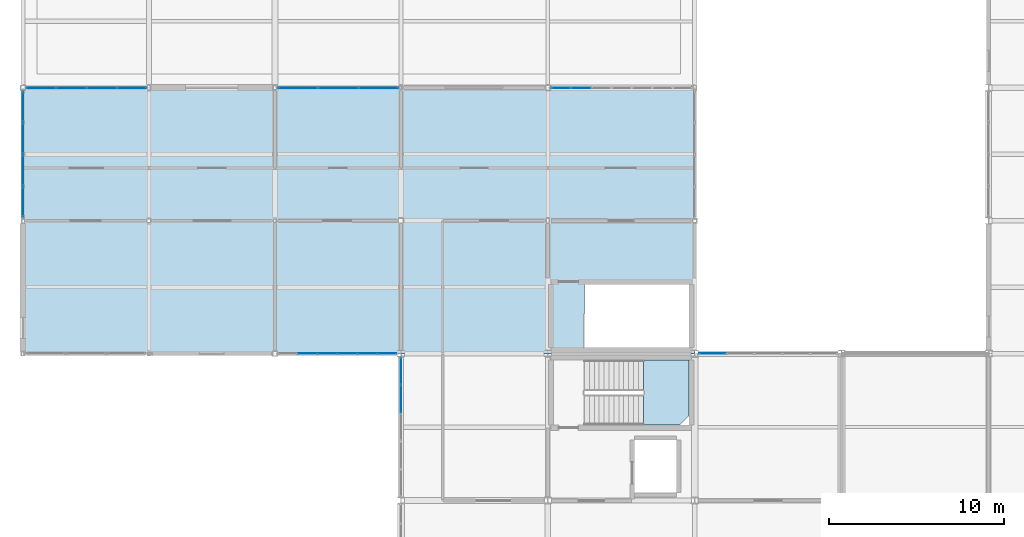
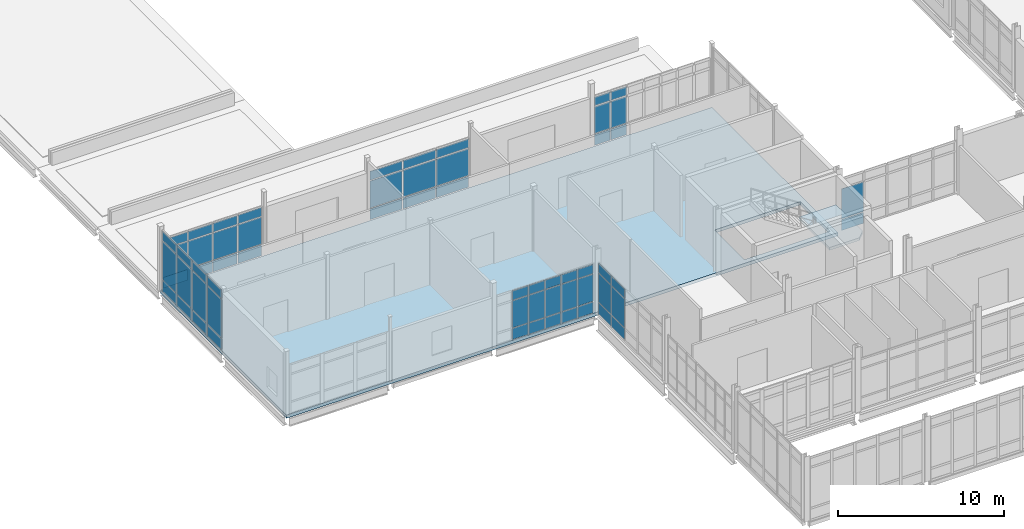
# One storey, part 121 of 186: 62 plates, 2 slabs, 8 elements without a shape of their own.
"""IFC4 building model written with IfcOpenShell, lengths in metres."""

from ifc_helpers import new_model, si_unit, direction, frame, origin, origin_2d, place, context, subcontext, project, spatial, polyline, rectangle, outline, extrude, material, layer, layer_set, type_object, element, aggregate, save


model = new_model("IFC4")

# Units and contexts
model_context = context("Model", 3, precision=1e-05, world=origin(), true_north=direction((0.0, 1.0)))
body_context = subcontext(model_context, "Body", "Model", "MODEL_VIEW")
ifc_project = project(units=[si_unit("LENGTHUNIT", "METRE"), si_unit("AREAUNIT", "SQUARE_METRE"), si_unit("VOLUMEUNIT", "CUBIC_METRE"), si_unit("PLANEANGLEUNIT", "RADIAN"), si_unit("MASSUNIT", "GRAM", prefix="KILO")], contexts=[model_context])

# Site, building, storey
site_placement = place(None, origin())
site = spatial("IfcSite", under=ifc_project, at=site_placement, CompositionType="ELEMENT")
building_placement = place(site_placement, origin())
building = spatial("IfcBuilding", under=site, at=building_placement, Name="Calvrana Isthmian Art Gallery", CompositionType="ELEMENT")
storey_placement = place(building_placement, frame((0.0, 0.0, 5.39990234375)))
storey = spatial("IfcBuildingStorey", under=building, at=storey_placement, Name="L01", CompositionType="ELEMENT", Elevation=5.39990234375)

# Curtain wall, plates
ifc_material_1 = material(Name="Anodized bronze aluminium 6063-T6", Category="aluminium")
ifc_layer_1 = layer(ifc_material_1, 0.179931640625, Name="Anodized bronze aluminium 6063-T6")
ifc_layer_set_1 = layer_set([ifc_layer_1], Name="Anodized bronze aluminium 6063-T6")
curtain_wall_type_1 = type_object("IfcCurtainWallType", Name="CW-UNIT-069X37", PredefinedType="USERDEFINED", material=ifc_layer_set_1)
curtain_wall_1_placement = place(storey_placement, origin())
curtain_wall_1 = element("IfcCurtainWall", 1, at=curtain_wall_1_placement, inside=storey, type_object=curtain_wall_type_1, Name="Curtain wall CW-096", ObjectType="UNITISED CURTAIN WALL", PredefinedType="USERDEFINED")
ifc_material_2 = material(Name="Low-E laminated solar glass", Category="glass")
ifc_layer_2 = layer(ifc_material_2, 0.028076171875, Name="Low-E laminated solar glass")
ifc_layer_set_2 = layer_set([ifc_layer_2], Name="Low-E laminated solar glass")
plate_type = type_object("IfcPlateType", Name="CWP-VISION-28", PredefinedType="CURTAIN_PANEL", material=ifc_layer_set_2)
plate_1_placement = place(storey_placement, frame((20.817138671875, 46.800048828125, 0.06005859375), z_axis=(0.0, 0.0, 1.0), x_axis=(-1.0, 0.0, 0.0)))
plate_1 = element("IfcPlate", 2, at=plate_1_placement, type_object=plate_type, Name="CW-096 panel 1.1", PredefinedType="CURTAIN_PANEL", context=body_context, shape_type="SweptSolid", body=[
    extrude(rectangle(XDim=1.0517578125, YDim=0.028076171875, at=origin_2d()), origin(), (0.0, 0.0, 1.0), 0.81005859375),
])
plate_2_placement = place(storey_placement, frame((20.817138671875, 46.800048828125, 0.93017578125), z_axis=(0.0, 0.0, 1.0), x_axis=(-1.0, 0.0, 0.0)))
plate_2 = element("IfcPlate", 3, at=plate_2_placement, type_object=plate_type, Name="CW-096 panel 1.2", PredefinedType="CURTAIN_PANEL", context=body_context, shape_type="SweptSolid", body=[
    extrude(rectangle(XDim=1.0517578125, YDim=0.028076171875, at=origin_2d()), origin(), (0.0, 0.0, 1.0), 1.985107421875),
])
plate_3_placement = place(storey_placement, frame((20.817138671875, 46.800048828125, 2.97509765625), z_axis=(0.0, 0.0, 1.0), x_axis=(-1.0, 0.0, 0.0)))
plate_3 = element("IfcPlate", 4, at=plate_3_placement, type_object=plate_type, Name="CW-096 panel 1.3", PredefinedType="CURTAIN_PANEL", context=body_context, shape_type="SweptSolid", body=[
    extrude(rectangle(XDim=1.0517578125, YDim=0.028076171875, at=origin_2d()), origin(), (0.0, 0.0, 1.0), 0.659912109375),
])
plate_4_placement = place(storey_placement, frame((19.6904296875, 46.800048828125, 0.06005859375), z_axis=(0.0, 0.0, 1.0), x_axis=(-1.0, 0.0, 0.0)))
plate_4 = element("IfcPlate", 5, at=plate_4_placement, type_object=plate_type, Name="CW-096 panel 2.1", PredefinedType="CURTAIN_PANEL", context=body_context, shape_type="SweptSolid", body=[
    extrude(rectangle(XDim=1.081787109375, YDim=0.028076171875, at=origin_2d()), origin(), (0.0, 0.0, 1.0), 0.81005859375),
])
plate_5_placement = place(storey_placement, frame((19.6904296875, 46.800048828125, 0.93017578125), z_axis=(0.0, 0.0, 1.0), x_axis=(-1.0, 0.0, 0.0)))
plate_5 = element("IfcPlate", 6, at=plate_5_placement, type_object=plate_type, Name="CW-096 panel 2.2", PredefinedType="CURTAIN_PANEL", context=body_context, shape_type="SweptSolid", body=[
    extrude(rectangle(XDim=1.081787109375, YDim=0.028076171875, at=origin_2d()), origin(), (0.0, 0.0, 1.0), 1.985107421875),
])
plate_6_placement = place(storey_placement, frame((19.6904296875, 46.800048828125, 2.97509765625), z_axis=(0.0, 0.0, 1.0), x_axis=(-1.0, 0.0, 0.0)))
plate_6 = element("IfcPlate", 7, at=plate_6_placement, type_object=plate_type, Name="CW-096 panel 2.3", PredefinedType="CURTAIN_PANEL", context=body_context, shape_type="SweptSolid", body=[
    extrude(rectangle(XDim=1.081787109375, YDim=0.028076171875, at=origin_2d()), origin(), (0.0, 0.0, 1.0), 0.659912109375),
])
plate_7_placement = place(storey_placement, frame((18.548583984375, 46.800048828125, 0.06005859375), z_axis=(0.0, 0.0, 1.0), x_axis=(-1.0, 0.0, 0.0)))
plate_7 = element("IfcPlate", 8, at=plate_7_placement, type_object=plate_type, Name="CW-096 panel 3.1", PredefinedType="CURTAIN_PANEL", context=body_context, shape_type="SweptSolid", body=[
    extrude(rectangle(XDim=1.081787109375, YDim=0.028076171875, at=origin_2d()), origin(), (0.0, 0.0, 1.0), 0.81005859375),
])
plate_8_placement = place(storey_placement, frame((18.548583984375, 46.800048828125, 0.93017578125), z_axis=(0.0, 0.0, 1.0), x_axis=(-1.0, 0.0, 0.0)))
plate_8 = element("IfcPlate", 9, at=plate_8_placement, type_object=plate_type, Name="CW-096 panel 3.2", PredefinedType="CURTAIN_PANEL", context=body_context, shape_type="SweptSolid", body=[
    extrude(rectangle(XDim=1.081787109375, YDim=0.028076171875, at=origin_2d()), origin(), (0.0, 0.0, 1.0), 1.985107421875),
])
plate_9_placement = place(storey_placement, frame((18.548583984375, 46.800048828125, 2.97509765625), z_axis=(0.0, 0.0, 1.0), x_axis=(-1.0, 0.0, 0.0)))
plate_9 = element("IfcPlate", 10, at=plate_9_placement, type_object=plate_type, Name="CW-096 panel 3.3", PredefinedType="CURTAIN_PANEL", context=body_context, shape_type="SweptSolid", body=[
    extrude(rectangle(XDim=1.081787109375, YDim=0.028076171875, at=origin_2d()), origin(), (0.0, 0.0, 1.0), 0.659912109375),
])
plate_10_placement = place(storey_placement, frame((17.40673828125, 46.800048828125, 0.06005859375), z_axis=(0.0, 0.0, 1.0), x_axis=(-1.0, 0.0, 0.0)))
plate_10 = element("IfcPlate", 11, at=plate_10_placement, type_object=plate_type, Name="CW-096 panel 4.1", PredefinedType="CURTAIN_PANEL", context=body_context, shape_type="SweptSolid", body=[
    extrude(rectangle(XDim=1.081787109375, YDim=0.028076171875, at=origin_2d()), origin(), (0.0, 0.0, 1.0), 0.81005859375),
])
plate_11_placement = place(storey_placement, frame((17.40673828125, 46.800048828125, 0.93017578125), z_axis=(0.0, 0.0, 1.0), x_axis=(-1.0, 0.0, 0.0)))
plate_11 = element("IfcPlate", 12, at=plate_11_placement, type_object=plate_type, Name="CW-096 panel 4.2", PredefinedType="CURTAIN_PANEL", context=body_context, shape_type="SweptSolid", body=[
    extrude(rectangle(XDim=1.081787109375, YDim=0.028076171875, at=origin_2d()), origin(), (0.0, 0.0, 1.0), 1.985107421875),
])
plate_12_placement = place(storey_placement, frame((17.40673828125, 46.800048828125, 2.97509765625), z_axis=(0.0, 0.0, 1.0), x_axis=(-1.0, 0.0, 0.0)))
plate_12 = element("IfcPlate", 13, at=plate_12_placement, type_object=plate_type, Name="CW-096 panel 4.3", PredefinedType="CURTAIN_PANEL", context=body_context, shape_type="SweptSolid", body=[
    extrude(rectangle(XDim=1.081787109375, YDim=0.028076171875, at=origin_2d()), origin(), (0.0, 0.0, 1.0), 0.659912109375),
])
plate_13_placement = place(storey_placement, frame((16.26513671875, 46.800048828125, 0.06005859375), z_axis=(0.0, 0.0, 1.0), x_axis=(-1.0, 0.0, 0.0)))
plate_13 = element("IfcPlate", 14, at=plate_13_placement, type_object=plate_type, Name="CW-096 panel 5.1", PredefinedType="CURTAIN_PANEL", context=body_context, shape_type="SweptSolid", body=[
    extrude(rectangle(XDim=1.081787109375, YDim=0.028076171875, at=origin_2d()), origin(), (0.0, 0.0, 1.0), 0.81005859375),
])
plate_14_placement = place(storey_placement, frame((16.26513671875, 46.800048828125, 0.93017578125), z_axis=(0.0, 0.0, 1.0), x_axis=(-1.0, 0.0, 0.0)))
plate_14 = element("IfcPlate", 15, at=plate_14_placement, type_object=plate_type, Name="CW-096 panel 5.2", PredefinedType="CURTAIN_PANEL", context=body_context, shape_type="SweptSolid", body=[
    extrude(rectangle(XDim=1.081787109375, YDim=0.028076171875, at=origin_2d()), origin(), (0.0, 0.0, 1.0), 1.985107421875),
])
plate_15_placement = place(storey_placement, frame((16.26513671875, 46.800048828125, 2.97509765625), z_axis=(0.0, 0.0, 1.0), x_axis=(-1.0, 0.0, 0.0)))
plate_15 = element("IfcPlate", 16, at=plate_15_placement, type_object=plate_type, Name="CW-096 panel 5.3", PredefinedType="CURTAIN_PANEL", context=body_context, shape_type="SweptSolid", body=[
    extrude(rectangle(XDim=1.081787109375, YDim=0.028076171875, at=origin_2d()), origin(), (0.0, 0.0, 1.0), 0.659912109375),
])
aggregate(curtain_wall_1, [plate_1, plate_2, plate_3, plate_4, plate_5, plate_6, plate_7, plate_8, plate_9, plate_10, plate_11, plate_12, plate_13, plate_14, plate_15])

ifc_layer_3 = layer(ifc_material_1, 0.179931640625, Name="Anodized bronze aluminium 6063-T6")
ifc_layer_set_3 = layer_set([ifc_layer_3], Name="Anodized bronze aluminium 6063-T6")
curtain_wall_type_2 = type_object("IfcCurtainWallType", Name="CW-STICK-080X39", PredefinedType="NOTDEFINED", material=ifc_layer_set_3)
curtain_wall_2_placement = place(storey_placement, origin())
curtain_wall_2 = element("IfcCurtainWall", 17, at=curtain_wall_2_placement, inside=storey, type_object=curtain_wall_type_2, Name="Curtain wall CW-097", PredefinedType="NOTDEFINED")
plate_16_placement = place(storey_placement, frame((39.414794921875, 46.800048828125, 0.06494140625), z_axis=(0.0, 0.0, 1.0), x_axis=(1.0, 0.0, 0.0)))
plate_16 = element("IfcPlate", 18, at=plate_16_placement, type_object=plate_type, Name="CW-097 panel 1.1", PredefinedType="CURTAIN_PANEL", context=body_context, shape_type="SweptSolid", body=[
    extrude(rectangle(XDim=1.510498046875, YDim=0.028076171875, at=origin_2d()), origin(), (0.0, 0.0, 1.0), 0.802490234375),
])
plate_17_placement = place(storey_placement, frame((39.414794921875, 46.800048828125, 0.9326171875), z_axis=(0.0, 0.0, 1.0), x_axis=(1.0, 0.0, 0.0)))
plate_17 = element("IfcPlate", 19, at=plate_17_placement, type_object=plate_type, Name="CW-097 panel 1.2", PredefinedType="CURTAIN_PANEL", context=body_context, shape_type="SweptSolid", body=[
    extrude(rectangle(XDim=1.510498046875, YDim=0.028076171875, at=origin_2d()), origin(), (0.0, 0.0, 1.0), 2.193115234375),
])
aggregate(curtain_wall_2, [plate_16, plate_17])

curtain_wall_3_placement = place(storey_placement, origin())
curtain_wall_3 = element("IfcCurtainWall", 20, at=curtain_wall_3_placement, inside=storey, type_object=curtain_wall_type_1, Name="Curtain wall CW-102", ObjectType="UNITISED CURTAIN WALL", PredefinedType="USERDEFINED")
plate_18_placement = place(storey_placement, frame((1.03564453125, 62.0, 0.06494140625), z_axis=(0.0, 0.0, 1.0), x_axis=(1.0, 0.0, 0.0)))
plate_18 = element("IfcPlate", 21, at=plate_18_placement, type_object=plate_type, Name="CW-102 panel 1.1", PredefinedType="CURTAIN_PANEL", context=body_context, shape_type="SweptSolid", body=[
    extrude(rectangle(XDim=1.646484375, YDim=0.028076171875, at=origin_2d()), origin(), (0.0, 0.0, 1.0), 0.802490234375),
])
plate_19_placement = place(storey_placement, frame((1.03564453125, 62.0, 0.9326171875), z_axis=(0.0, 0.0, 1.0), x_axis=(1.0, 0.0, 0.0)))
plate_19 = element("IfcPlate", 22, at=plate_19_placement, type_object=plate_type, Name="CW-102 panel 1.2", PredefinedType="CURTAIN_PANEL", context=body_context, shape_type="SweptSolid", body=[
    extrude(rectangle(XDim=1.646484375, YDim=0.028076171875, at=origin_2d()), origin(), (0.0, 0.0, 1.0), 1.97998046875),
])
plate_20_placement = place(storey_placement, frame((1.03564453125, 62.0, 2.9775390625), z_axis=(0.0, 0.0, 1.0), x_axis=(1.0, 0.0, 0.0)))
plate_20 = element("IfcPlate", 23, at=plate_20_placement, type_object=plate_type, Name="CW-102 panel 1.3", PredefinedType="CURTAIN_PANEL", context=body_context, shape_type="SweptSolid", body=[
    extrude(rectangle(XDim=1.646484375, YDim=0.028076171875, at=origin_2d()), origin(), (0.0, 0.0, 1.0), 0.652587890625),
])
plate_21_placement = place(storey_placement, frame((2.757080078125, 62.0, 0.06494140625), z_axis=(0.0, 0.0, 1.0), x_axis=(1.0, 0.0, 0.0)))
plate_21 = element("IfcPlate", 24, at=plate_21_placement, type_object=plate_type, Name="CW-102 panel 2.1", PredefinedType="CURTAIN_PANEL", context=body_context, shape_type="SweptSolid", body=[
    extrude(rectangle(XDim=1.676513671875, YDim=0.028076171875, at=origin_2d()), origin(), (0.0, 0.0, 1.0), 0.802490234375),
])
plate_22_placement = place(storey_placement, frame((2.757080078125, 62.0, 0.9326171875), z_axis=(0.0, 0.0, 1.0), x_axis=(1.0, 0.0, 0.0)))
plate_22 = element("IfcPlate", 25, at=plate_22_placement, type_object=plate_type, Name="CW-102 panel 2.2", PredefinedType="CURTAIN_PANEL", context=body_context, shape_type="SweptSolid", body=[
    extrude(rectangle(XDim=1.676513671875, YDim=0.028076171875, at=origin_2d()), origin(), (0.0, 0.0, 1.0), 1.97998046875),
])
plate_23_placement = place(storey_placement, frame((2.757080078125, 62.0, 2.9775390625), z_axis=(0.0, 0.0, 1.0), x_axis=(1.0, 0.0, 0.0)))
plate_23 = element("IfcPlate", 26, at=plate_23_placement, type_object=plate_type, Name="CW-102 panel 2.3", PredefinedType="CURTAIN_PANEL", context=body_context, shape_type="SweptSolid", body=[
    extrude(rectangle(XDim=1.676513671875, YDim=0.028076171875, at=origin_2d()), origin(), (0.0, 0.0, 1.0), 0.652587890625),
])
plate_24_placement = place(storey_placement, frame((4.49365234375, 62.0, 0.06494140625), z_axis=(0.0, 0.0, 1.0), x_axis=(1.0, 0.0, 0.0)))
plate_24 = element("IfcPlate", 27, at=plate_24_placement, type_object=plate_type, Name="CW-102 panel 3.1", PredefinedType="CURTAIN_PANEL", context=body_context, shape_type="SweptSolid", body=[
    extrude(rectangle(XDim=1.676513671875, YDim=0.028076171875, at=origin_2d()), origin(), (0.0, 0.0, 1.0), 0.802490234375),
])
plate_25_placement = place(storey_placement, frame((4.49365234375, 62.0, 0.9326171875), z_axis=(0.0, 0.0, 1.0), x_axis=(1.0, 0.0, 0.0)))
plate_25 = element("IfcPlate", 28, at=plate_25_placement, type_object=plate_type, Name="CW-102 panel 3.2", PredefinedType="CURTAIN_PANEL", context=body_context, shape_type="SweptSolid", body=[
    extrude(rectangle(XDim=1.676513671875, YDim=0.028076171875, at=origin_2d()), origin(), (0.0, 0.0, 1.0), 1.97998046875),
])
plate_26_placement = place(storey_placement, frame((4.49365234375, 62.0, 2.9775390625), z_axis=(0.0, 0.0, 1.0), x_axis=(1.0, 0.0, 0.0)))
plate_26 = element("IfcPlate", 29, at=plate_26_placement, type_object=plate_type, Name="CW-102 panel 3.3", PredefinedType="CURTAIN_PANEL", context=body_context, shape_type="SweptSolid", body=[
    extrude(rectangle(XDim=1.676513671875, YDim=0.028076171875, at=origin_2d()), origin(), (0.0, 0.0, 1.0), 0.652587890625),
])
plate_27_placement = place(storey_placement, frame((6.215087890625, 62.0, 0.06494140625), z_axis=(0.0, 0.0, 1.0), x_axis=(1.0, 0.0, 0.0)))
plate_27 = element("IfcPlate", 30, at=plate_27_placement, type_object=plate_type, Name="CW-102 panel 4.1", PredefinedType="CURTAIN_PANEL", context=body_context, shape_type="SweptSolid", body=[
    extrude(rectangle(XDim=1.646484375, YDim=0.028076171875, at=origin_2d()), origin(), (0.0, 0.0, 1.0), 0.802490234375),
])
plate_28_placement = place(storey_placement, frame((6.215087890625, 62.0, 0.9326171875), z_axis=(0.0, 0.0, 1.0), x_axis=(1.0, 0.0, 0.0)))
plate_28 = element("IfcPlate", 31, at=plate_28_placement, type_object=plate_type, Name="CW-102 panel 4.2", PredefinedType="CURTAIN_PANEL", context=body_context, shape_type="SweptSolid", body=[
    extrude(rectangle(XDim=1.646484375, YDim=0.028076171875, at=origin_2d()), origin(), (0.0, 0.0, 1.0), 1.97998046875),
])
plate_29_placement = place(storey_placement, frame((6.215087890625, 62.0, 2.9775390625), z_axis=(0.0, 0.0, 1.0), x_axis=(1.0, 0.0, 0.0)))
plate_29 = element("IfcPlate", 32, at=plate_29_placement, type_object=plate_type, Name="CW-102 panel 4.3", PredefinedType="CURTAIN_PANEL", context=body_context, shape_type="SweptSolid", body=[
    extrude(rectangle(XDim=1.646484375, YDim=0.028076171875, at=origin_2d()), origin(), (0.0, 0.0, 1.0), 0.652587890625),
])
aggregate(curtain_wall_3, [plate_18, plate_19, plate_20, plate_21, plate_22, plate_23, plate_24, plate_25, plate_26, plate_27, plate_28, plate_29])

ifc_layer_4 = layer(ifc_material_1, 0.179931640625, Name="Anodized bronze aluminium 6063-T6")
ifc_layer_set_4 = layer_set([ifc_layer_4], Name="Anodized bronze aluminium 6063-T6")
curtain_wall_type_3 = type_object("IfcCurtainWallType", Name="CW-STICK-070X37", PredefinedType="NOTDEFINED", material=ifc_layer_set_4)
curtain_wall_4_placement = place(storey_placement, origin())
curtain_wall_4 = element("IfcCurtainWall", 33, at=curtain_wall_4_placement, inside=storey, type_object=curtain_wall_type_3, Name="Curtain wall CW-103", PredefinedType="NOTDEFINED")
plate_30_placement = place(storey_placement, frame((15.703857421875, 62.0, 0.070068359375), z_axis=(0.0, 0.0, 1.0), x_axis=(1.0, 0.0, 0.0)))
plate_30 = element("IfcPlate", 34, at=plate_30_placement, type_object=plate_type, Name="CW-103 panel 1.1", PredefinedType="CURTAIN_PANEL", context=body_context, shape_type="SweptSolid", body=[
    extrude(rectangle(XDim=2.23388671875, YDim=0.028076171875, at=origin_2d()), origin(), (0.0, 0.0, 1.0), 0.794921875),
])
plate_31_placement = place(storey_placement, frame((15.703857421875, 62.0, 0.93505859375), z_axis=(0.0, 0.0, 1.0), x_axis=(1.0, 0.0, 0.0)))
plate_31 = element("IfcPlate", 35, at=plate_31_placement, type_object=plate_type, Name="CW-103 panel 1.2", PredefinedType="CURTAIN_PANEL", context=body_context, shape_type="SweptSolid", body=[
    extrude(rectangle(XDim=2.23388671875, YDim=0.028076171875, at=origin_2d()), origin(), (0.0, 0.0, 1.0), 1.97509765625),
])
plate_32_placement = place(storey_placement, frame((15.703857421875, 62.0, 2.97998046875), z_axis=(0.0, 0.0, 1.0), x_axis=(1.0, 0.0, 0.0)))
plate_32 = element("IfcPlate", 36, at=plate_32_placement, type_object=plate_type, Name="CW-103 panel 1.3", PredefinedType="CURTAIN_PANEL", context=body_context, shape_type="SweptSolid", body=[
    extrude(rectangle(XDim=2.23388671875, YDim=0.028076171875, at=origin_2d()), origin(), (0.0, 0.0, 1.0), 0.64501953125),
])
plate_33_placement = place(storey_placement, frame((18.0126953125, 62.0, 0.070068359375), z_axis=(0.0, 0.0, 1.0), x_axis=(1.0, 0.0, 0.0)))
plate_33 = element("IfcPlate", 37, at=plate_33_placement, type_object=plate_type, Name="CW-103 panel 2.1", PredefinedType="CURTAIN_PANEL", context=body_context, shape_type="SweptSolid", body=[
    extrude(rectangle(XDim=2.263916015625, YDim=0.028076171875, at=origin_2d()), origin(), (0.0, 0.0, 1.0), 0.794921875),
])
plate_34_placement = place(storey_placement, frame((18.0126953125, 62.0, 0.93505859375), z_axis=(0.0, 0.0, 1.0), x_axis=(1.0, 0.0, 0.0)))
plate_34 = element("IfcPlate", 38, at=plate_34_placement, type_object=plate_type, Name="CW-103 panel 2.2", PredefinedType="CURTAIN_PANEL", context=body_context, shape_type="SweptSolid", body=[
    extrude(rectangle(XDim=2.263916015625, YDim=0.028076171875, at=origin_2d()), origin(), (0.0, 0.0, 1.0), 1.97509765625),
])
plate_35_placement = place(storey_placement, frame((18.0126953125, 62.0, 2.97998046875), z_axis=(0.0, 0.0, 1.0), x_axis=(1.0, 0.0, 0.0)))
plate_35 = element("IfcPlate", 39, at=plate_35_placement, type_object=plate_type, Name="CW-103 panel 2.3", PredefinedType="CURTAIN_PANEL", context=body_context, shape_type="SweptSolid", body=[
    extrude(rectangle(XDim=2.263916015625, YDim=0.028076171875, at=origin_2d()), origin(), (0.0, 0.0, 1.0), 0.64501953125),
])
plate_36_placement = place(storey_placement, frame((20.321533203125, 62.0, 0.070068359375), z_axis=(0.0, 0.0, 1.0), x_axis=(1.0, 0.0, 0.0)))
plate_36 = element("IfcPlate", 40, at=plate_36_placement, type_object=plate_type, Name="CW-103 panel 3.1", PredefinedType="CURTAIN_PANEL", context=body_context, shape_type="SweptSolid", body=[
    extrude(rectangle(XDim=2.23388671875, YDim=0.028076171875, at=origin_2d()), origin(), (0.0, 0.0, 1.0), 0.794921875),
])
plate_37_placement = place(storey_placement, frame((20.321533203125, 62.0, 0.93505859375), z_axis=(0.0, 0.0, 1.0), x_axis=(1.0, 0.0, 0.0)))
plate_37 = element("IfcPlate", 41, at=plate_37_placement, type_object=plate_type, Name="CW-103 panel 3.2", PredefinedType="CURTAIN_PANEL", context=body_context, shape_type="SweptSolid", body=[
    extrude(rectangle(XDim=2.23388671875, YDim=0.028076171875, at=origin_2d()), origin(), (0.0, 0.0, 1.0), 1.97509765625),
])
plate_38_placement = place(storey_placement, frame((20.321533203125, 62.0, 2.97998046875), z_axis=(0.0, 0.0, 1.0), x_axis=(1.0, 0.0, 0.0)))
plate_38 = element("IfcPlate", 42, at=plate_38_placement, type_object=plate_type, Name="CW-103 panel 3.3", PredefinedType="CURTAIN_PANEL", context=body_context, shape_type="SweptSolid", body=[
    extrude(rectangle(XDim=2.23388671875, YDim=0.028076171875, at=origin_2d()), origin(), (0.0, 0.0, 1.0), 0.64501953125),
])
aggregate(curtain_wall_4, [plate_30, plate_31, plate_32, plate_33, plate_34, plate_35, plate_36, plate_37, plate_38])

ifc_layer_5 = layer(ifc_material_1, 0.179931640625, Name="Anodized bronze aluminium 6063-T6")
ifc_layer_set_5 = layer_set([ifc_layer_5], Name="Anodized bronze aluminium 6063-T6")
curtain_wall_type_4 = type_object("IfcCurtainWallType", Name="CW-UNIT-081X37", PredefinedType="USERDEFINED", material=ifc_layer_set_5)
curtain_wall_5_placement = place(storey_placement, origin())
curtain_wall_5 = element("IfcCurtainWall", 43, at=curtain_wall_5_placement, inside=storey, type_object=curtain_wall_type_4, Name="Curtain wall CW-104", ObjectType="UNITISED CURTAIN WALL", PredefinedType="USERDEFINED")
plate_39_placement = place(storey_placement, frame((30.75048828125, 62.0, 0.074951171875), z_axis=(0.0, 0.0, 1.0), x_axis=(1.0, 0.0, 0.0)))
plate_39 = element("IfcPlate", 44, at=plate_39_placement, type_object=plate_type, Name="CW-104 panel 1.1", PredefinedType="CURTAIN_PANEL", context=body_context, shape_type="SweptSolid", body=[
    extrude(rectangle(XDim=1.066162109375, YDim=0.028076171875, at=origin_2d()), origin(), (0.0, 0.0, 1.0), 0.78759765625),
])
plate_40_placement = place(storey_placement, frame((30.75048828125, 62.0, 0.9375), z_axis=(0.0, 0.0, 1.0), x_axis=(1.0, 0.0, 0.0)))
plate_40 = element("IfcPlate", 45, at=plate_40_placement, type_object=plate_type, Name="CW-104 panel 1.2", PredefinedType="CURTAIN_PANEL", context=body_context, shape_type="SweptSolid", body=[
    extrude(rectangle(XDim=1.066162109375, YDim=0.028076171875, at=origin_2d()), origin(), (0.0, 0.0, 1.0), 1.969970703125),
])
plate_41_placement = place(storey_placement, frame((30.75048828125, 62.0, 2.982421875), z_axis=(0.0, 0.0, 1.0), x_axis=(1.0, 0.0, 0.0)))
plate_41 = element("IfcPlate", 46, at=plate_41_placement, type_object=plate_type, Name="CW-104 panel 1.3", PredefinedType="CURTAIN_PANEL", context=body_context, shape_type="SweptSolid", body=[
    extrude(rectangle(XDim=1.066162109375, YDim=0.028076171875, at=origin_2d()), origin(), (0.0, 0.0, 1.0), 0.637451171875),
])
plate_42_placement = place(storey_placement, frame((31.89794921875, 62.0, 0.074951171875), z_axis=(0.0, 0.0, 1.0), x_axis=(1.0, 0.0, 0.0)))
plate_42 = element("IfcPlate", 47, at=plate_42_placement, type_object=plate_type, Name="CW-104 panel 2.1", PredefinedType="CURTAIN_PANEL", context=body_context, shape_type="SweptSolid", body=[
    extrude(rectangle(XDim=1.0986328125, YDim=0.028076171875, at=origin_2d()), origin(), (0.0, 0.0, 1.0), 0.78759765625),
])
plate_43_placement = place(storey_placement, frame((31.89794921875, 62.0, 0.9375), z_axis=(0.0, 0.0, 1.0), x_axis=(1.0, 0.0, 0.0)))
plate_43 = element("IfcPlate", 48, at=plate_43_placement, type_object=plate_type, Name="CW-104 panel 2.2", PredefinedType="CURTAIN_PANEL", context=body_context, shape_type="SweptSolid", body=[
    extrude(rectangle(XDim=1.0986328125, YDim=0.028076171875, at=origin_2d()), origin(), (0.0, 0.0, 1.0), 1.969970703125),
])
plate_44_placement = place(storey_placement, frame((31.89794921875, 62.0, 2.982421875), z_axis=(0.0, 0.0, 1.0), x_axis=(1.0, 0.0, 0.0)))
plate_44 = element("IfcPlate", 49, at=plate_44_placement, type_object=plate_type, Name="CW-104 panel 2.3", PredefinedType="CURTAIN_PANEL", context=body_context, shape_type="SweptSolid", body=[
    extrude(rectangle(XDim=1.0986328125, YDim=0.028076171875, at=origin_2d()), origin(), (0.0, 0.0, 1.0), 0.637451171875),
])
aggregate(curtain_wall_5, [plate_39, plate_40, plate_41, plate_42, plate_43, plate_44])

ifc_layer_6 = layer(ifc_material_1, 0.179931640625, Name="Anodized bronze aluminium 6063-T6")
ifc_layer_set_6 = layer_set([ifc_layer_6], Name="Anodized bronze aluminium 6063-T6")
curtain_wall_type_5 = type_object("IfcCurtainWallType", Name="CW-UNIT-073X45", PredefinedType="USERDEFINED", material=ifc_layer_set_6)
curtain_wall_6_placement = place(storey_placement, origin())
curtain_wall_6 = element("IfcCurtainWall", 50, at=curtain_wall_6_placement, inside=storey, type_object=curtain_wall_type_5, Name="Curtain wall CW-118", ObjectType="UNITISED CURTAIN WALL", PredefinedType="USERDEFINED")
plate_45_placement = place(storey_placement, frame((0.0, 55.483154296875, 0.070068359375), z_axis=(0.0, 0.0, 1.0), x_axis=(0.0, 1.0, 0.0)))
plate_45 = element("IfcPlate", 51, at=plate_45_placement, type_object=plate_type, Name="CW-118 panel 1.1", PredefinedType="CURTAIN_PANEL", context=body_context, shape_type="SweptSolid", body=[
    extrude(rectangle(XDim=1.711181640625, YDim=0.028076171875, at=origin_2d()), origin(), (0.0, 0.0, 1.0), 0.794921875),
])
plate_46_placement = place(storey_placement, frame((0.0, 55.483154296875, 0.93505859375), z_axis=(0.0, 0.0, 1.0), x_axis=(0.0, 1.0, 0.0)))
plate_46 = element("IfcPlate", 52, at=plate_46_placement, type_object=plate_type, Name="CW-118 panel 1.2", PredefinedType="CURTAIN_PANEL", context=body_context, shape_type="SweptSolid", body=[
    extrude(rectangle(XDim=1.711181640625, YDim=0.028076171875, at=origin_2d()), origin(), (0.0, 0.0, 1.0), 2.820068359375),
])
plate_47_placement = place(storey_placement, frame((0.0, 55.483154296875, 3.8251953125), z_axis=(0.0, 0.0, 1.0), x_axis=(0.0, 1.0, 0.0)))
plate_47 = element("IfcPlate", 53, at=plate_47_placement, type_object=plate_type, Name="CW-118 panel 1.3", PredefinedType="CURTAIN_PANEL", context=body_context, shape_type="SweptSolid", body=[
    extrude(rectangle(XDim=1.711181640625, YDim=0.028076171875, at=origin_2d()), origin(), (0.0, 0.0, 1.0), 0.64501953125),
])
plate_48_placement = place(storey_placement, frame((0.0, 57.2880859375, 0.070068359375), z_axis=(0.0, 0.0, 1.0), x_axis=(0.0, 1.0, 0.0)))
plate_48 = element("IfcPlate", 54, at=plate_48_placement, type_object=plate_type, Name="CW-118 panel 2.1", PredefinedType="CURTAIN_PANEL", context=body_context, shape_type="SweptSolid", body=[
    extrude(rectangle(XDim=1.748779296875, YDim=0.028076171875, at=origin_2d()), origin(), (0.0, 0.0, 1.0), 0.794921875),
])
plate_49_placement = place(storey_placement, frame((0.0, 57.2880859375, 0.93505859375), z_axis=(0.0, 0.0, 1.0), x_axis=(0.0, 1.0, 0.0)))
plate_49 = element("IfcPlate", 55, at=plate_49_placement, type_object=plate_type, Name="CW-118 panel 2.2", PredefinedType="CURTAIN_PANEL", context=body_context, shape_type="SweptSolid", body=[
    extrude(rectangle(XDim=1.748779296875, YDim=0.028076171875, at=origin_2d()), origin(), (0.0, 0.0, 1.0), 2.820068359375),
])
plate_50_placement = place(storey_placement, frame((0.0, 57.2880859375, 3.8251953125), z_axis=(0.0, 0.0, 1.0), x_axis=(0.0, 1.0, 0.0)))
plate_50 = element("IfcPlate", 56, at=plate_50_placement, type_object=plate_type, Name="CW-118 panel 2.3", PredefinedType="CURTAIN_PANEL", context=body_context, shape_type="SweptSolid", body=[
    extrude(rectangle(XDim=1.748779296875, YDim=0.028076171875, at=origin_2d()), origin(), (0.0, 0.0, 1.0), 0.64501953125),
])
plate_51_placement = place(storey_placement, frame((0.0, 59.11181640625, 0.070068359375), z_axis=(0.0, 0.0, 1.0), x_axis=(0.0, 1.0, 0.0)))
plate_51 = element("IfcPlate", 57, at=plate_51_placement, type_object=plate_type, Name="CW-118 panel 3.1", PredefinedType="CURTAIN_PANEL", context=body_context, shape_type="SweptSolid", body=[
    extrude(rectangle(XDim=1.748779296875, YDim=0.028076171875, at=origin_2d()), origin(), (0.0, 0.0, 1.0), 0.794921875),
])
plate_52_placement = place(storey_placement, frame((0.0, 59.11181640625, 0.93505859375), z_axis=(0.0, 0.0, 1.0), x_axis=(0.0, 1.0, 0.0)))
plate_52 = element("IfcPlate", 58, at=plate_52_placement, type_object=plate_type, Name="CW-118 panel 3.2", PredefinedType="CURTAIN_PANEL", context=body_context, shape_type="SweptSolid", body=[
    extrude(rectangle(XDim=1.748779296875, YDim=0.028076171875, at=origin_2d()), origin(), (0.0, 0.0, 1.0), 2.820068359375),
])
plate_53_placement = place(storey_placement, frame((0.0, 59.11181640625, 3.8251953125), z_axis=(0.0, 0.0, 1.0), x_axis=(0.0, 1.0, 0.0)))
plate_53 = element("IfcPlate", 59, at=plate_53_placement, type_object=plate_type, Name="CW-118 panel 3.3", PredefinedType="CURTAIN_PANEL", context=body_context, shape_type="SweptSolid", body=[
    extrude(rectangle(XDim=1.748779296875, YDim=0.028076171875, at=origin_2d()), origin(), (0.0, 0.0, 1.0), 0.64501953125),
])
plate_54_placement = place(storey_placement, frame((0.0, 60.9169921875, 0.070068359375), z_axis=(0.0, 0.0, 1.0), x_axis=(0.0, 1.0, 0.0)))
plate_54 = element("IfcPlate", 60, at=plate_54_placement, type_object=plate_type, Name="CW-118 panel 4.1", PredefinedType="CURTAIN_PANEL", context=body_context, shape_type="SweptSolid", body=[
    extrude(rectangle(XDim=1.711181640625, YDim=0.028076171875, at=origin_2d()), origin(), (0.0, 0.0, 1.0), 0.794921875),
])
plate_55_placement = place(storey_placement, frame((0.0, 60.9169921875, 0.93505859375), z_axis=(0.0, 0.0, 1.0), x_axis=(0.0, 1.0, 0.0)))
plate_55 = element("IfcPlate", 61, at=plate_55_placement, type_object=plate_type, Name="CW-118 panel 4.2", PredefinedType="CURTAIN_PANEL", context=body_context, shape_type="SweptSolid", body=[
    extrude(rectangle(XDim=1.711181640625, YDim=0.028076171875, at=origin_2d()), origin(), (0.0, 0.0, 1.0), 2.820068359375),
])
plate_56_placement = place(storey_placement, frame((0.0, 60.9169921875, 3.8251953125), z_axis=(0.0, 0.0, 1.0), x_axis=(0.0, 1.0, 0.0)))
plate_56 = element("IfcPlate", 62, at=plate_56_placement, type_object=plate_type, Name="CW-118 panel 4.3", PredefinedType="CURTAIN_PANEL", context=body_context, shape_type="SweptSolid", body=[
    extrude(rectangle(XDim=1.711181640625, YDim=0.028076171875, at=origin_2d()), origin(), (0.0, 0.0, 1.0), 0.64501953125),
])
aggregate(curtain_wall_6, [plate_45, plate_46, plate_47, plate_48, plate_49, plate_50, plate_51, plate_52, plate_53, plate_54, plate_55, plate_56])

ifc_layer_7 = layer(ifc_material_1, 0.179931640625, Name="Anodized bronze aluminium 6063-T6")
ifc_layer_set_7 = layer_set([ifc_layer_7], Name="Anodized bronze aluminium 6063-T6")
curtain_wall_type_6 = type_object("IfcCurtainWallType", Name="CW-UNIT-080X38", PredefinedType="USERDEFINED", material=ifc_layer_set_7)
curtain_wall_7_placement = place(storey_placement, origin())
curtain_wall_7 = element("IfcCurtainWall", 63, at=curtain_wall_7_placement, inside=storey, type_object=curtain_wall_type_6, Name="Curtain wall CW-121", ObjectType="UNITISED CURTAIN WALL", PredefinedType="USERDEFINED")
plate_57_placement = place(storey_placement, frame((21.60009765625, 44.201904296875, 0.06005859375), z_axis=(0.0, 0.0, 1.0), x_axis=(0.0, 1.0, 0.0)))
plate_57 = element("IfcPlate", 64, at=plate_57_placement, type_object=plate_type, Name="CW-121 panel 4.1", PredefinedType="CURTAIN_PANEL", context=body_context, shape_type="SweptSolid", body=[
    extrude(rectangle(XDim=1.546875, YDim=0.028076171875, at=origin_2d()), origin(), (0.0, 0.0, 1.0), 0.81005859375),
])
plate_58_placement = place(storey_placement, frame((21.60009765625, 44.201904296875, 0.93017578125), z_axis=(0.0, 0.0, 1.0), x_axis=(0.0, 1.0, 0.0)))
plate_58 = element("IfcPlate", 65, at=plate_58_placement, type_object=plate_type, Name="CW-121 panel 4.2", PredefinedType="CURTAIN_PANEL", context=body_context, shape_type="SweptSolid", body=[
    extrude(rectangle(XDim=1.546875, YDim=0.028076171875, at=origin_2d()), origin(), (0.0, 0.0, 1.0), 2.116943359375),
])
plate_59_placement = place(storey_placement, frame((21.60009765625, 44.201904296875, 3.10693359375), z_axis=(0.0, 0.0, 1.0), x_axis=(0.0, 1.0, 0.0)))
plate_59 = element("IfcPlate", 66, at=plate_59_placement, type_object=plate_type, Name="CW-121 panel 4.3", PredefinedType="CURTAIN_PANEL", context=body_context, shape_type="SweptSolid", body=[
    extrude(rectangle(XDim=1.546875, YDim=0.028076171875, at=origin_2d()), origin(), (0.0, 0.0, 1.0), 0.659912109375),
])
plate_60_placement = place(storey_placement, frame((21.60009765625, 45.793701171875, 0.06005859375), z_axis=(0.0, 0.0, 1.0), x_axis=(0.0, 1.0, 0.0)))
plate_60 = element("IfcPlate", 67, at=plate_60_placement, type_object=plate_type, Name="CW-121 panel 5.1", PredefinedType="CURTAIN_PANEL", context=body_context, shape_type="SweptSolid", body=[
    extrude(rectangle(XDim=1.516845703125, YDim=0.028076171875, at=origin_2d()), origin(), (0.0, 0.0, 1.0), 0.81005859375),
])
plate_61_placement = place(storey_placement, frame((21.60009765625, 45.793701171875, 0.93017578125), z_axis=(0.0, 0.0, 1.0), x_axis=(0.0, 1.0, 0.0)))
plate_61 = element("IfcPlate", 68, at=plate_61_placement, type_object=plate_type, Name="CW-121 panel 5.2", PredefinedType="CURTAIN_PANEL", context=body_context, shape_type="SweptSolid", body=[
    extrude(rectangle(XDim=1.516845703125, YDim=0.028076171875, at=origin_2d()), origin(), (0.0, 0.0, 1.0), 2.116943359375),
])
plate_62_placement = place(storey_placement, frame((21.60009765625, 45.793701171875, 3.10693359375), z_axis=(0.0, 0.0, 1.0), x_axis=(0.0, 1.0, 0.0)))
plate_62 = element("IfcPlate", 69, at=plate_62_placement, type_object=plate_type, Name="CW-121 panel 5.3", PredefinedType="CURTAIN_PANEL", context=body_context, shape_type="SweptSolid", body=[
    extrude(rectangle(XDim=1.516845703125, YDim=0.028076171875, at=origin_2d()), origin(), (0.0, 0.0, 1.0), 0.659912109375),
])
aggregate(curtain_wall_7, [plate_57, plate_58, plate_59, plate_60, plate_61, plate_62])

# Slab
ifc_material_3 = material(Name="Concrete C40/50", Category="concrete")
ifc_layer_8 = layer(ifc_material_3, 0.239990234375, Name="Concrete C40/50")
ifc_layer_set_8 = layer_set([ifc_layer_8], Name="Concrete C40/50")
slab_type_1 = type_object("IfcSlabType", Name="SLB-FLR-240", PredefinedType="FLOOR", material=ifc_layer_set_8)
slab_1_placement = place(storey_placement, frame((0.0, 0.0, -0.239990234375)))
element("IfcSlab", 70, at=slab_1_placement, inside=storey, type_object=slab_type_1, Name="Floor slab V3S_L01", PredefinedType="FLOOR", context=body_context, shape_type="SweptSolid", body=[
    extrude(outline(polyline([(0.0, 46.800048828125), (38.39990234375, 46.800048828125), (38.39990234375, 62.0), (0.0, 62.0), (0.0, 46.800048828125)]), holes=[polyline([(32.10009765625, 47.14990234375), (38.06005859375, 47.14990234375), (38.06005859375, 50.75), (32.10009765625, 50.75), (32.10009765625, 47.14990234375)])]), origin(), (0.0, 0.0, 1.0), 0.239990234375),
])

# Stair, slab
stair_type = type_object("IfcStairType", Name="STR-HT-480W", PredefinedType="HALF_TURN_STAIR", material=ifc_material_3)
stair_placement = place(storey_placement, origin())
stair = element("IfcStair", 71, at=stair_placement, inside=storey, type_object=stair_type, Name="Protected exit stair ST-1 (L01)", PredefinedType="HALF_TURN_STAIR")
ifc_layer_9 = layer(ifc_material_3, 0.199951171875, Name="Concrete C40/50")
ifc_layer_set_9 = layer_set([ifc_layer_9], Name="Concrete C40/50")
slab_type_2 = type_object("IfcSlabType", Name="SLB-LAND-200", PredefinedType="LANDING", material=ifc_layer_set_9)
slab_2_placement = place(storey_placement, frame((0.0, 0.0, 2.2001953125)))
slab_2 = element("IfcSlab", 72, at=slab_2_placement, type_object=slab_type_2, Name="ST-1 landing 1", PredefinedType="LANDING", context=body_context, shape_type="SweptSolid", body=[
    extrude(outline(polyline([(35.4599609375, 42.7099609375), (37.5400390625, 42.7099609375), (38.06005859375, 43.22998046875), (38.06005859375, 46.429931640625), (35.4599609375, 46.429931640625), (35.4599609375, 42.7099609375)])), origin(), (0.0, 0.0, 1.0), 0.199951171875),
])
aggregate(stair, [slab_2])

save(model, "model.ifc")
